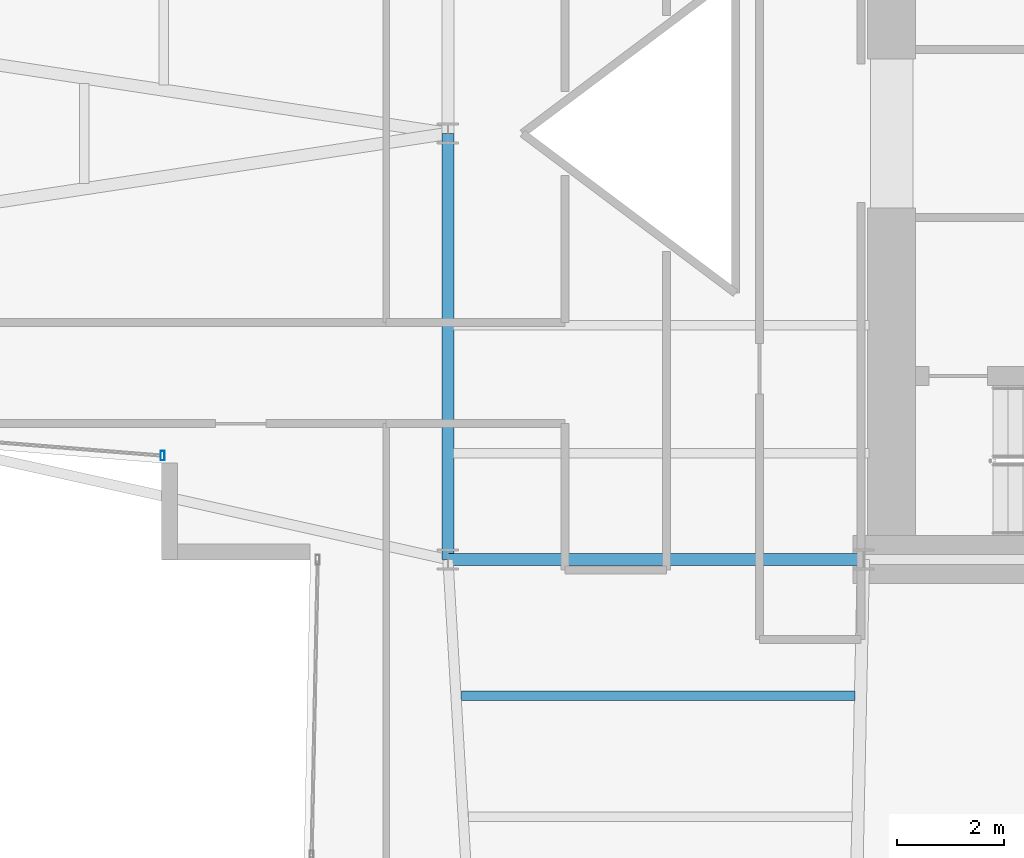
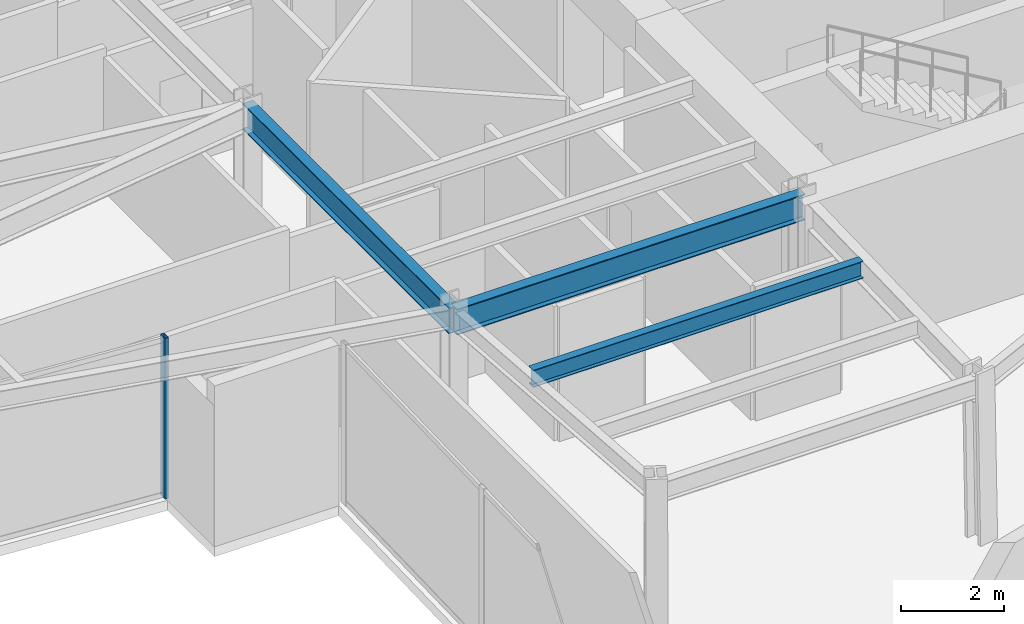
# One storey, part 5 of 24: 3 beams, 1 member, 1 element without a shape of its own.
"""IFC4 building model written with IfcOpenShell, lengths in metres."""

from ifc_helpers import new_model, si_unit, direction, frame, origin, origin_2d, place, context, subcontext, project, spatial, hollow_rectangle, i_section, extrude, material, layer, layer_set, material_profile, profile_set, type_object, element, aggregate, save


model = new_model("IFC4")

# Units and contexts
model_context = context("Model", 3, precision=1e-05, world=origin(), true_north=direction((0.0, 1.0)))
body_context = subcontext(model_context, "Body", "Model", "MODEL_VIEW")
ifc_project = project(units=[si_unit("LENGTHUNIT", "METRE"), si_unit("AREAUNIT", "SQUARE_METRE"), si_unit("VOLUMEUNIT", "CUBIC_METRE"), si_unit("PLANEANGLEUNIT", "RADIAN"), si_unit("MASSUNIT", "GRAM", prefix="KILO")], contexts=[model_context])

# Site, building, storey
site_placement = place(None, origin())
site = spatial("IfcSite", under=ifc_project, at=site_placement, CompositionType="ELEMENT")
building_placement = place(site_placement, origin())
building = spatial("IfcBuilding", under=site, at=building_placement, Name="Veymaron Broadcast Tower", CompositionType="ELEMENT")
storey_placement = place(building_placement, frame((0.0, 0.0, 98.550048828125)))
storey = spatial("IfcBuildingStorey", under=building, at=storey_placement, Name="L22", CompositionType="ELEMENT", Elevation=98.550048828125)

# Beams
ifc_material_1 = material(Name="Structural steel ASTM A992 Gr 50", Category="steel")
ifc_material_profile_1 = material_profile(ifc_material_1, i_section(OverallWidth=0.22998046875, OverallDepth=0.616943359375, WebThickness=0.01318359375, FlangeThickness=0.022216796875, at=origin_2d()), Name="W610X140")
ifc_profile_set_1 = profile_set([ifc_material_profile_1], Name="Structural steel ASTM A992 Gr 50")
beam_type_1 = type_object("IfcBeamType", Name="BM-FG1", PredefinedType="BEAM", material=ifc_profile_set_1)
beam_1_placement = place(storey_placement, frame((31.199951171875, 16.0, 3.50146484375), z_axis=(0.0, 1.0, 0.0), x_axis=(-1.0, 0.0, 0.0)))
element("IfcBeam", 1, at=beam_1_placement, inside=storey, type_object=beam_type_1, Name="L22 primary structural floor girder", PredefinedType="BEAM", context=body_context, shape_type="SweptSolid", body=[
    extrude(i_section(OverallWidth=0.22998046875, OverallDepth=0.616943359375, WebThickness=0.01318359375, FlangeThickness=0.022216796875, at=origin_2d()), origin(), (0.0, 0.0, 1.0), 8.0),
])
beam_2_placement = place(storey_placement, frame((31.199951171875, 16.0, 3.50146484375), z_axis=(1.0, 0.0, 0.0), x_axis=(0.0, 1.0, 0.0)))
element("IfcBeam", 2, at=beam_2_placement, inside=storey, type_object=beam_type_1, Name="L22 primary structural floor girder", PredefinedType="BEAM", context=body_context, shape_type="SweptSolid", body=[
    extrude(i_section(OverallWidth=0.22998046875, OverallDepth=0.616943359375, WebThickness=0.01318359375, FlangeThickness=0.022216796875, at=origin_2d()), origin(), (0.0, 0.0, 1.0), 7.800048828125),
])
ifc_material_profile_2 = material_profile(ifc_material_1, i_section(OverallWidth=0.177978515625, OverallDepth=0.406982421875, WebThickness=0.0078125, FlangeThickness=0.0126953125, at=origin_2d()), Name="W410X60")
ifc_profile_set_2 = profile_set([ifc_material_profile_2], Name="Structural steel ASTM A992 Gr 50")
beam_type_2 = type_object("IfcBeamType", Name="BM-JS1", PredefinedType="JOIST", material=ifc_profile_set_2)
beam_3_placement = place(storey_placement, frame((31.451171875, 13.444091796875, 3.6064453125), z_axis=(1.0, 0.0, 0.0), x_axis=(0.0, 1.0, 0.0)))
element("IfcBeam", 3, at=beam_3_placement, inside=storey, type_object=beam_type_2, Name="L22 Arm-C secondary joist 1", PredefinedType="JOIST", context=body_context, shape_type="SweptSolid", body=[
    extrude(i_section(OverallWidth=0.177978515625, OverallDepth=0.406982421875, WebThickness=0.0078125, FlangeThickness=0.0126953125, at=origin_2d()), origin(), (0.0, 0.0, 1.0), 7.394775390625),
])

# Curtain wall, member
ifc_material_2 = material(Name="Anodised aluminium AA 6063-T6 and laminated low-E dark glass", Category="aluminium")
ifc_layer = layer(ifc_material_2, 0.179931640625)
ifc_layer_set = layer_set([ifc_layer], Name="Anodised aluminium AA 6063-T6 and laminated low-E dark glass")
curtain_wall_type = type_object("IfcCurtainWallType", Name="CW-SYS-02", PredefinedType="NOTDEFINED", material=ifc_layer_set)
curtain_wall_placement = place(storey_placement, origin())
curtain_wall = element("IfcCurtainWall", 4, at=curtain_wall_placement, inside=storey, type_object=curtain_wall_type, Name="L22 dark-glass curtain wall CW-L22-E14-1", PredefinedType="NOTDEFINED")
ifc_material_3 = material(Name="Anodised aluminium AA 6063-T6", Category="aluminium")
ifc_material_profile_3 = material_profile(ifc_material_3, hollow_rectangle(XDim=0.074951171875, YDim=0.179931640625, WallThickness=0.0048828125, at=origin_2d()), Name="AL180X75X5")
ifc_profile_set_3 = profile_set([ifc_material_profile_3], Name="Anodised aluminium AA 6063-T6")
member_type = type_object("IfcMemberType", Name="CW-MUL-02", PredefinedType="MULLION", material=ifc_profile_set_3)
member_placement = place(storey_placement, frame((25.84326171875, 17.951416015625, 0.0), z_axis=(0.0, 0.0, 1.0), x_axis=(1.0, 0.0, 0.0)))
member = element("IfcMember", 5, at=member_placement, type_object=member_type, Name="CW-L22-E14-1 mullion 2", PredefinedType="MULLION", context=body_context, shape_type="SweptSolid", body=[
    extrude(hollow_rectangle(XDim=0.074951171875, YDim=0.179931640625, WallThickness=0.0048828125, at=origin_2d()), origin(), (0.0, 0.0, 1.0), 3.81005859375),
])
aggregate(curtain_wall, [member])

save(model, "model.ifc")
